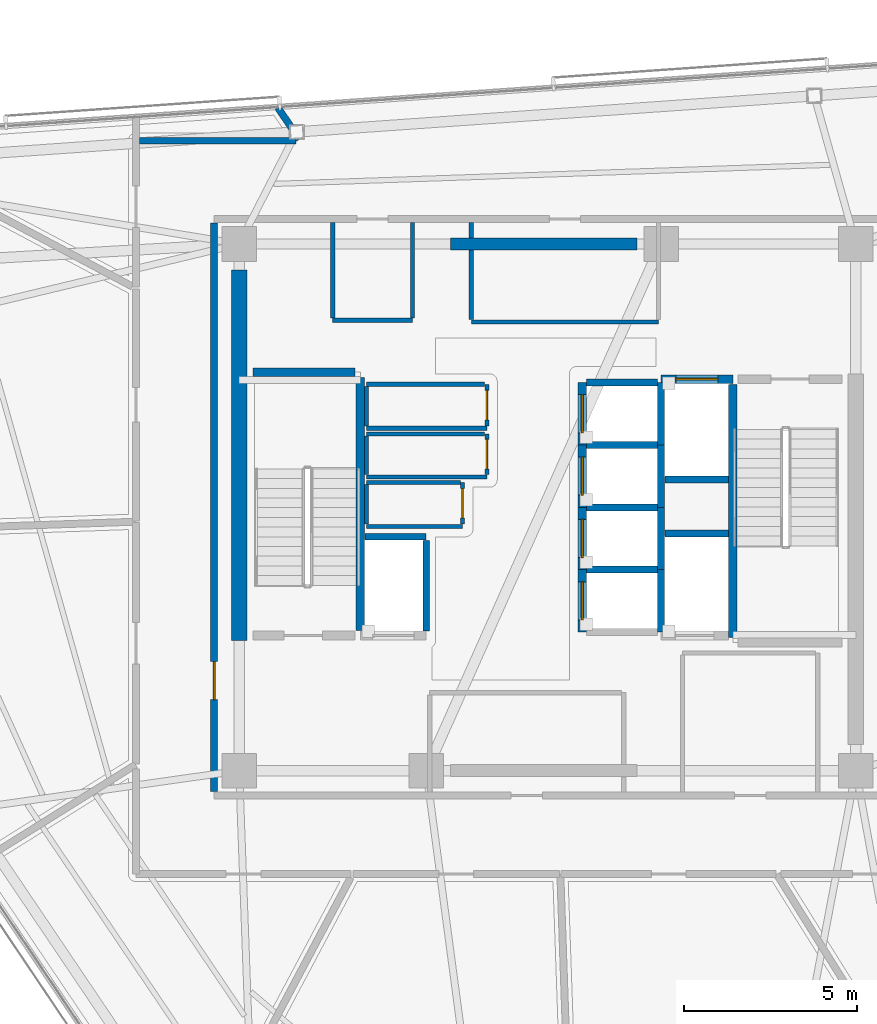
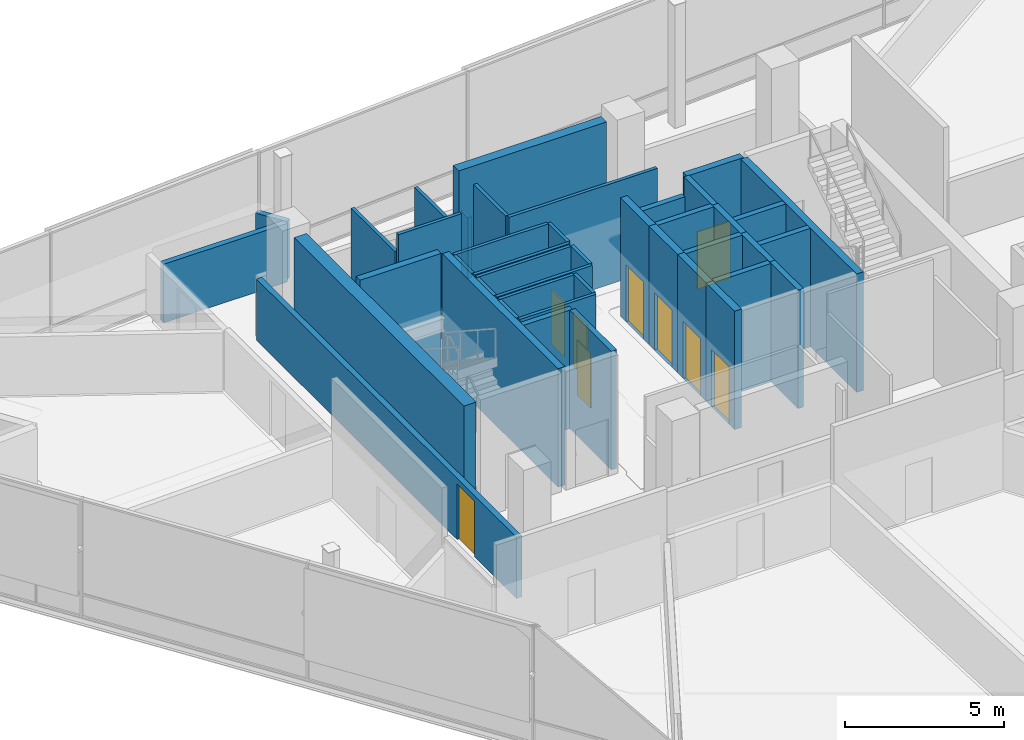
# One storey, part 10 of 16: 43 walls, 9 doors, 9 openings.
"""IFC4 building model written with IfcOpenShell, lengths in metres."""

import ifcopenshell
import ifcopenshell.guid

model = None  # the IFC model being written
_history = None  # IfcOwnerHistory: only IFC2X3 demands one
_inside = {}  # id of a spatial element -> (the spatial element, [elements in it])
_under = {}  # id of a project, library or spatial element -> (it, [spatial elements below it])
_declared = {}  # id of a project -> (the project, [libraries it declares])
_typed = {}  # id of a type object -> (the type object, [elements of that type])
_made_of = {}  # id of a material, layer set ... -> (it, [elements and type objects made of it])


def new_model(schema):
    """Start an empty IFC model of exactly this schema.

    Asked for "IFC4X3", IfcOpenShell would pick the latest addendum, in which some entities
    have other attributes; the version numbers below select the first issue.
    IFC2X3 requires an IfcOwnerHistory on every rooted entity: one is made here for all.
    """
    global model, _history
    if schema == "IFC4X3":
        model = ifcopenshell.file(schema_version=(4, 3, 0, 0))
    else:
        model = ifcopenshell.file(schema=schema)
    _inside.clear()
    _under.clear()
    _declared.clear()
    _typed.clear()
    _made_of.clear()
    _history = None
    if model.schema == "IFC2X3":
        org = make("IfcOrganization", Name="unknown")
        user = make(
            "IfcPersonAndOrganization",
            ThePerson=make("IfcPerson", FamilyName="unknown"),
            TheOrganization=org,
        )
        app = make(
            "IfcApplication",
            ApplicationDeveloper=org,
            Version="unknown",
            ApplicationFullName="unknown",
            ApplicationIdentifier="unknown",
        )
        _history = make(
            "IfcOwnerHistory",
            OwningUser=user,
            OwningApplication=app,
            ChangeAction="ADDED",
            CreationDate=0,
        )
    return model


def make(cls, **values):
    """One entity of the class cls with the attributes given. An attribute that is None is left unset."""
    return model.create_entity(
        cls, **{name: value for name, value in values.items() if value is not None}
    )


def rooted(cls, **values):
    """An entity with a GlobalId (a new one), such as an element, a storey or a relation."""
    return make(cls, GlobalId=ifcopenshell.guid.new(), OwnerHistory=_history, **values)


def si_unit(unit_type, name, prefix=None):
    """IfcSIUnit, for example si_unit("LENGTHUNIT", "METRE", prefix="MILLI")."""
    return make("IfcSIUnit", UnitType=unit_type, Prefix=prefix, Name=name)


def assignment(units):
    """IfcUnitAssignment: the units of a project."""
    return None if units is None else make("IfcUnitAssignment", Units=units)


def point(xyz):
    """IfcCartesianPoint."""
    return None if xyz is None else make("IfcCartesianPoint", Coordinates=xyz)


def direction(xyz):
    """IfcDirection."""
    return None if xyz is None else make("IfcDirection", DirectionRatios=xyz)


def frame(location, z_axis=None, x_axis=None):
    """IfcAxis2Placement3D, a coordinate frame: its origin and axes. An axis left out is left unset."""
    return make(
        "IfcAxis2Placement3D",
        Location=point(location),
        Axis=direction(z_axis),
        RefDirection=direction(x_axis),
    )


def frame_2d(location, x_axis=None):
    """IfcAxis2Placement2D, a coordinate frame in the plane: its origin and x axis."""
    return make(
        "IfcAxis2Placement2D", Location=point(location), RefDirection=direction(x_axis)
    )


def origin():
    """The frame at (0, 0, 0) with its axes left unset."""
    return frame((0.0, 0.0, 0.0))


def place(relative_to, where):
    """IfcLocalPlacement: puts the frame where relative to a parent placement (None: the world)."""
    return make(
        "IfcLocalPlacement", PlacementRelTo=relative_to, RelativePlacement=where
    )


def context(
    kind, dimensions, precision=None, world=None, true_north=None, identifier=None
):
    """IfcGeometricRepresentationContext, for example the 3D "Model" context."""
    return make(
        "IfcGeometricRepresentationContext",
        ContextIdentifier=identifier,
        ContextType=kind,
        CoordinateSpaceDimension=dimensions,
        Precision=precision,
        WorldCoordinateSystem=world,
        TrueNorth=true_north,
    )


def subcontext(parent, identifier, kind, view, scale=None):
    """IfcGeometricRepresentationSubContext, for example "Body" below "Model"."""
    return make(
        "IfcGeometricRepresentationSubContext",
        ContextIdentifier=identifier,
        ContextType=kind,
        ParentContext=parent,
        TargetScale=scale,
        TargetView=view,
    )


def project(units=None, contexts=None):
    """IfcProject with its units and contexts."""
    return rooted(
        "IfcProject",
        Name="project",
        RepresentationContexts=contexts,
        UnitsInContext=assignment(units),
    )


def spatial(cls, under=None, at=None, **own):
    """A site, building, storey or space (cls), placed at a placement, below another one or the project."""
    s = rooted(cls, ObjectPlacement=at, **own)
    if under is not None:
        _under.setdefault(under.id(), (under, []))[1].append(s)
    return s


def profile(cls, at=None, kind="AREA", **sizes):
    """A parametric profile (cls). Its sizes go by their IFC names, for example OverallWidth=200.0."""
    return make(cls, ProfileType=kind, Position=at, **sizes)


def rectangle(**sizes):
    """IfcRectangleProfileDef."""
    return profile("IfcRectangleProfileDef", **sizes)


def extrude(swept, where, along, depth):
    """IfcExtrudedAreaSolid: the profile swept, set in the frame where, extruded along a direction by depth."""
    return make(
        "IfcExtrudedAreaSolid",
        SweptArea=swept,
        Position=where,
        ExtrudedDirection=direction(along),
        Depth=depth,
    )


def shape(context_of_items, identifier, shape_type, items):
    """IfcShapeRepresentation: the items that make up one representation, for example the "Body"."""
    return make(
        "IfcShapeRepresentation",
        ContextOfItems=context_of_items,
        RepresentationIdentifier=identifier,
        RepresentationType=shape_type,
        Items=items,
    )


def material(Name=None, Category=None):
    """IfcMaterial."""
    return make("IfcMaterial", Name=Name, Category=Category)


def layer(
    of_material, thickness, ventilated=None, Name=None, Category=None, Priority=None
):
    """IfcMaterialLayer: one layer of a wall or slab, of a material (None: an air gap)."""
    return make(
        "IfcMaterialLayer",
        Material=of_material,
        LayerThickness=thickness,
        IsVentilated=ventilated,
        Name=Name,
        Category=Category,
        Priority=Priority,
    )


def layer_set(layers, Name=None):
    """IfcMaterialLayerSet."""
    return make("IfcMaterialLayerSet", MaterialLayers=layers, LayerSetName=Name)


def made_of(thing, what):
    """Note that an element or type object is made of a material, layer set ...; save() writes the relation."""
    if what is not None:
        _made_of.setdefault(what.id(), (what, []))[1].append(thing)
    return thing


def type_object(cls, material=None, **own):
    """A type object (cls), such as IfcWallType, which elements share."""
    return made_of(rooted(cls, **own), material)


def element(
    cls,
    number,
    at=None,
    inside=None,
    cuts=None,
    type_object=None,
    material=None,
    context=None,
    identifier="Body",
    shape_type=None,
    held_by="IfcProductDefinitionShape",
    body=None,
    shapes=None,
    **own,
):
    """One element of the class cls, such as IfcWall. Its Tag is "e" and its number.

    at: its placement. inside: the storey or other place that contains it. cuts: it is an
    opening in that element (IfcRelVoidsElement). A single representation is given by context,
    identifier, shape_type and body (its items); several are given by shapes. held_by: the class
    of the entity that holds the representations. save() writes the other relations.
    """
    e = rooted(cls, Tag="e%d" % number, ObjectPlacement=at, **own)
    if body is not None:
        shapes = [shape(context, identifier, shape_type, body)]
    if shapes is not None:
        e.Representation = make(held_by, Representations=shapes)
    if inside is not None:
        _inside.setdefault(inside.id(), (inside, []))[1].append(e)
    if cuts is not None:
        rooted(
            "IfcRelVoidsElement", RelatingBuildingElement=cuts, RelatedOpeningElement=e
        )
    if type_object is not None:
        _typed.setdefault(type_object.id(), (type_object, []))[1].append(e)
    return made_of(e, material)


def fill(opening, filler):
    """IfcRelFillsElement: the door or window that sits in an opening."""
    return rooted(
        "IfcRelFillsElement",
        RelatingOpeningElement=opening,
        RelatedBuildingElement=filler,
    )


def aggregate(whole, parts):
    """IfcRelAggregates: a whole, such as a stair, and the parts it consists of."""
    return rooted("IfcRelAggregates", RelatingObject=whole, RelatedObjects=parts)


def save(model, path):
    """Write the relations noted so far, then the file.

    IfcRelAggregates (storeys below a building ...), IfcRelContainedInSpatialStructure (elements
    in a storey), IfcRelDefinesByType, IfcRelAssociatesMaterial and IfcRelDeclares: one each for
    every whole, place, type object, material and project.
    """
    for whole, parts in _under.values():
        aggregate(whole, parts)
    for where, things in _inside.values():
        rooted(
            "IfcRelContainedInSpatialStructure",
            RelatedElements=things,
            RelatingStructure=where,
        )
    for kind, things in _typed.values():
        rooted("IfcRelDefinesByType", RelatedObjects=things, RelatingType=kind)
    for what, things in _made_of.values():
        rooted("IfcRelAssociatesMaterial", RelatedObjects=things, RelatingMaterial=what)
    for by, libraries in _declared.values():
        rooted("IfcRelDeclares", RelatingContext=by, RelatedDefinitions=libraries)
    model.write(path)


model = new_model("IFC4")

# Units and contexts
model_context = context("Model", 3, precision=1e-05, world=origin(), true_north=direction((0.0, 1.0)))
body_context = subcontext(model_context, "Body", "Model", "MODEL_VIEW")
ifc_project = project(units=[si_unit("LENGTHUNIT", "METRE"), si_unit("AREAUNIT", "SQUARE_METRE"), si_unit("VOLUMEUNIT", "CUBIC_METRE"), si_unit("PLANEANGLEUNIT", "RADIAN"), si_unit("MASSUNIT", "GRAM", prefix="KILO")], contexts=[model_context])

# Site, building, storey
site_placement = place(None, origin())
site = spatial("IfcSite", under=ifc_project, at=site_placement, CompositionType="ELEMENT")
building_placement = place(site_placement, origin())
building = spatial("IfcBuilding", under=site, at=building_placement, Name="Tharavind Bronze Gate", CompositionType="ELEMENT")
storey_placement = place(building_placement, frame((0.0, 0.0, 275.0)))
storey = spatial("IfcBuildingStorey", under=building, at=storey_placement, Name="L71", CompositionType="ELEMENT", Elevation=275.0)

# Wall, opening, door
ifc_material_1 = material(Name="Aerated Concrete Block", Category="concrete")
ifc_layer_1 = layer(ifc_material_1, 0.199951171875)
ifc_layer_set_1 = layer_set([ifc_layer_1], Name="Aerated Concrete Block")
wall_type_1 = type_object("IfcWallType", Name="FIRE RATED PARTITION 200", PredefinedType="PARTITIONING", material=ifc_layer_set_1)
wall_1_placement = place(storey_placement, frame((-9.6201171875, 8.199951171875, 0.0), z_axis=(0.0, 0.0, 1.0), x_axis=(0.0, -1.0, 0.0)))
wall_1 = element("IfcWall", 1, at=wall_1_placement, inside=storey, type_object=wall_type_1, Name="L71 west core corridor wall", PredefinedType="PARTITIONING", context=body_context, shape_type="SweptSolid", body=[
    extrude(rectangle(XDim=16.39990234375, YDim=0.199951171875, at=frame_2d((8.199951171875, 0.0))), origin(), (0.0, 0.0, 1.0), 2.35498046875),
])
opening_1_placement = place(wall_1_placement, frame((12.64990234375, 0.0, 0.0)))
opening_1 = element("IfcOpeningElement", 2, at=opening_1_placement, cuts=wall_1, Name="Opening ID01", PredefinedType="OPENING", context=body_context, shape_type="SweptSolid", body=[
    extrude(rectangle(XDim=1.10009765625, YDim=2.14990234375, at=frame_2d((0.550048828125, 1.074951171875))), frame((0.0, 0.11009765625, 0.0), z_axis=(0.0, -1.0, 0.0), x_axis=(1.0, 0.0, 0.0)), (0.0, 0.0, 1.0), 0.219951171875),
])
ifc_material_2 = material(Name="Fire-Rated Steel", Category="steel")
door_type_1 = type_object("IfcDoorType", Name="STAIR CORE FIRE DOOR 1100X2150", OperationType="SINGLE_SWING_LEFT", PredefinedType="DOOR", material=ifc_material_2)
door_1_placement = place(opening_1_placement, frame((1.10009765625, 0.0, 0.0), z_axis=(0.0, 0.0, 1.0), x_axis=(-1.0, 0.0, 0.0)))
door_1 = element("IfcDoor", 3, at=door_1_placement, inside=storey, type_object=door_type_1, Name="L71 south west stair lobby fire door", OperationType="SINGLE_SWING_LEFT", OverallHeight=2.14990234375, OverallWidth=1.10009765625, PredefinedType="DOOR", context=body_context, shape_type="SweptSolid", body=[
    extrude(rectangle(XDim=1.10009765625, YDim=2.14990234375, at=frame_2d((0.550048828125, 1.074951171875))), frame((0.0, 0.02490234375, 0.0), z_axis=(0.0, -1.0, 0.0), x_axis=(1.0, 0.0, 0.0)), (0.0, 0.0, 1.0), 0.050048828125),
])
fill(opening_1, door_1)

# Walls
wall_2_placement = place(storey_placement, frame((-7.7802734375, 11.53466796875, 0.0), z_axis=(0.0, 0.0, 1.0), x_axis=(0.559180531027, -0.82904591774, 0.0)))
element("IfcWall", 4, at=wall_2_placement, inside=storey, type_object=wall_type_1, Name="L71 Consular Interview Room partition", PredefinedType="PARTITIONING", context=body_context, shape_type="SweptSolid", body=[
    extrude(rectangle(XDim=1.1044921875, YDim=0.199951171875, at=frame_2d((0.55224609375, 0.0))), origin(), (0.0, 0.0, 1.0), 2.2548828125),
])
wall_3_placement = place(storey_placement, frame((-7.262939453125, 10.580078125, 0.0), z_axis=(0.0, 0.0, 1.0), x_axis=(-1.0, 0.0, 0.0)))
element("IfcWall", 5, at=wall_3_placement, inside=storey, type_object=wall_type_1, Name="L71 Consular Interview Room partition", PredefinedType="PARTITIONING", context=body_context, shape_type="SweptSolid", body=[
    extrude(rectangle(XDim=4.511962890625, YDim=0.199951171875, at=frame_2d((2.255859375, 0.0))), origin(), (0.0, 0.0, 1.0), 2.2548828125),
])
ifc_material_3 = material(Name="Metal Stud Gypsum Partition", Category="gypsum")
ifc_layer_2 = layer(ifc_material_3, 0.1201171875)
ifc_layer_set_2 = layer_set([ifc_layer_2], Name="Metal Stud Gypsum Partition")
wall_type_2 = type_object("IfcWallType", Name="INTERIOR PARTITION WALL 120", PredefinedType="PARTITIONING", material=ifc_layer_set_2)
wall_4_placement = place(storey_placement, frame((-5.219970703125, 2.280029296875, 0.0), z_axis=(0.0, 0.0, 1.0), x_axis=(1.0, 0.0, 0.0)))
element("IfcWall", 6, at=wall_4_placement, inside=storey, type_object=wall_type_2, Name="L71 Housekeeping Linen Store partition 1", PredefinedType="PARTITIONING", context=body_context, shape_type="SweptSolid", body=[
    extrude(rectangle(XDim=3.469970703125, YDim=0.1201171875, at=frame_2d((1.73486328125, 0.0))), origin(), (0.0, 0.0, 1.0), 4.56005859375),
])

# Wall, opening, door
wall_5_placement = place(storey_placement, frame((-1.75, 2.344970703125, 0.0), z_axis=(0.0, 0.0, 1.0), x_axis=(0.0, 1.0, 0.0)))
wall_5 = element("IfcWall", 7, at=wall_5_placement, inside=storey, type_object=wall_type_2, Name="L71 Housekeeping Linen Store partition 2", PredefinedType="PARTITIONING", context=body_context, shape_type="SweptSolid", body=[
    extrude(rectangle(XDim=1.205078125, YDim=0.1201171875, at=frame_2d((0.6025390625, 0.0))), origin(), (0.0, 0.0, 1.0), 4.56005859375),
])
opening_2_placement = place(wall_5_placement, frame((0.177001953125, 0.0, 0.0)))
opening_2 = element("IfcOpeningElement", 8, at=opening_2_placement, cuts=wall_5, Name="Opening ID06", PredefinedType="OPENING", context=body_context, shape_type="SweptSolid", body=[
    extrude(rectangle(XDim=0.85009765625, YDim=2.10009765625, at=frame_2d((0.425048828125, 1.050048828125))), frame((0.0, 0.07005859375, 0.0), z_axis=(0.0, -1.0, 0.0), x_axis=(1.0, 0.0, 0.0)), (0.0, 0.0, 1.0), 0.1401171875),
])
ifc_material_4 = material(Name="Moisture-Resistant Timber", Category="wood")
door_type_2 = type_object("IfcDoorType", Name="BATHROOM PRIVACY DOOR 850X2100", OperationType="SINGLE_SWING_RIGHT", PredefinedType="DOOR", material=ifc_material_4)
door_2_placement = place(opening_2_placement, frame((0.85009765625, 0.0, 0.0), z_axis=(0.0, 0.0, 1.0), x_axis=(-1.0, 0.0, 0.0)))
door_2 = element("IfcDoor", 9, at=door_2_placement, inside=storey, type_object=door_type_2, Name="L71 Housekeeping Linen Store door", OperationType="SINGLE_SWING_RIGHT", OverallHeight=2.10009765625, OverallWidth=0.85009765625, PredefinedType="DOOR", context=body_context, shape_type="SweptSolid", body=[
    extrude(rectangle(XDim=0.85009765625, YDim=2.10009765625, at=frame_2d((0.425048828125, 1.050048828125))), frame((0.0, 0.02490234375, 0.0), z_axis=(0.0, -1.0, 0.0), x_axis=(1.0, 0.0, 0.0)), (0.0, 0.0, 1.0), 0.050048828125),
])
fill(opening_2, door_2)

# Walls
wall_6_placement = place(storey_placement, frame((-1.81494140625, 3.550048828125, 0.0), z_axis=(0.0, 0.0, 1.0), x_axis=(-1.0, 0.0, 0.0)))
element("IfcWall", 10, at=wall_6_placement, inside=storey, type_object=wall_type_2, Name="L71 Housekeeping Linen Store partition 3", PredefinedType="PARTITIONING", context=body_context, shape_type="SweptSolid", body=[
    extrude(rectangle(XDim=3.405029296875, YDim=0.1201171875, at=frame_2d((1.70263671875, 0.0))), origin(), (0.0, 0.0, 1.0), 4.56005859375),
])
wall_7_placement = place(storey_placement, frame((-5.219970703125, 3.485107421875, 0.0), z_axis=(0.0, 0.0, 1.0), x_axis=(0.0, -1.0, 0.0)))
element("IfcWall", 11, at=wall_7_placement, inside=storey, type_object=wall_type_2, Name="L71 Housekeeping Linen Store partition 4", PredefinedType="PARTITIONING", context=body_context, shape_type="SweptSolid", body=[
    extrude(rectangle(XDim=1.14013671875, YDim=0.1201171875, at=frame_2d((0.570068359375, 0.0))), origin(), (0.0, 0.0, 1.0), 4.56005859375),
])
wall_8_placement = place(storey_placement, frame((-5.219970703125, 0.8798828125, 0.0), z_axis=(0.0, 0.0, 1.0), x_axis=(1.0, 0.0, 0.0)))
element("IfcWall", 12, at=wall_8_placement, inside=storey, type_object=wall_type_2, Name="L71 Comms Data Room partition 1", PredefinedType="PARTITIONING", context=body_context, shape_type="SweptSolid", body=[
    extrude(rectangle(XDim=3.469970703125, YDim=0.1201171875, at=frame_2d((1.73486328125, 0.0))), origin(), (0.0, 0.0, 1.0), 4.56005859375),
])

# Wall, opening, door
wall_9_placement = place(storey_placement, frame((-1.75, 0.945068359375, 0.0), z_axis=(0.0, 0.0, 1.0), x_axis=(0.0, 1.0, 0.0)))
wall_9 = element("IfcWall", 13, at=wall_9_placement, inside=storey, type_object=wall_type_2, Name="L71 Comms Data Room partition 2", PredefinedType="PARTITIONING", context=body_context, shape_type="SweptSolid", body=[
    extrude(rectangle(XDim=1.175048828125, YDim=0.1201171875, at=frame_2d((0.58740234375, 0.0))), origin(), (0.0, 0.0, 1.0), 4.56005859375),
])
opening_3_placement = place(wall_9_placement, frame((0.1630859375, 0.0, 0.0)))
opening_3 = element("IfcOpeningElement", 14, at=opening_3_placement, cuts=wall_9, Name="Opening ID06", PredefinedType="OPENING", context=body_context, shape_type="SweptSolid", body=[
    extrude(rectangle(XDim=0.85009765625, YDim=2.10009765625, at=frame_2d((0.425048828125, 1.050048828125))), frame((0.0, 0.07005859375, 0.0), z_axis=(0.0, -1.0, 0.0), x_axis=(1.0, 0.0, 0.0)), (0.0, 0.0, 1.0), 0.1401171875),
])
door_3_placement = place(opening_3_placement, frame((0.85009765625, 0.0, 0.0), z_axis=(0.0, 0.0, 1.0), x_axis=(-1.0, 0.0, 0.0)))
door_3 = element("IfcDoor", 15, at=door_3_placement, inside=storey, type_object=door_type_2, Name="L71 Comms Data Room door", OperationType="SINGLE_SWING_RIGHT", OverallHeight=2.10009765625, OverallWidth=0.85009765625, PredefinedType="DOOR", context=body_context, shape_type="SweptSolid", body=[
    extrude(rectangle(XDim=0.85009765625, YDim=2.10009765625, at=frame_2d((0.425048828125, 1.050048828125))), frame((0.0, 0.02490234375, 0.0), z_axis=(0.0, -1.0, 0.0), x_axis=(1.0, 0.0, 0.0)), (0.0, 0.0, 1.0), 0.050048828125),
])
fill(opening_3, door_3)

# Walls
wall_10_placement = place(storey_placement, frame((-1.81494140625, 2.1201171875, 0.0), z_axis=(0.0, 0.0, 1.0), x_axis=(-1.0, 0.0, 0.0)))
element("IfcWall", 16, at=wall_10_placement, inside=storey, type_object=wall_type_2, Name="L71 Comms Data Room partition 3", PredefinedType="PARTITIONING", context=body_context, shape_type="SweptSolid", body=[
    extrude(rectangle(XDim=3.405029296875, YDim=0.1201171875, at=frame_2d((1.70263671875, 0.0))), origin(), (0.0, 0.0, 1.0), 4.56005859375),
])
wall_11_placement = place(storey_placement, frame((-5.219970703125, 2.054931640625, 0.0), z_axis=(0.0, 0.0, 1.0), x_axis=(0.0, -1.0, 0.0)))
element("IfcWall", 17, at=wall_11_placement, inside=storey, type_object=wall_type_2, Name="L71 Comms Data Room partition 4", PredefinedType="PARTITIONING", context=body_context, shape_type="SweptSolid", body=[
    extrude(rectangle(XDim=1.10986328125, YDim=0.1201171875, at=frame_2d((0.554931640625, 0.0))), origin(), (0.0, 0.0, 1.0), 4.56005859375),
])
wall_12_placement = place(storey_placement, frame((-5.219970703125, -0.550048828125, 0.0), z_axis=(0.0, 0.0, 1.0), x_axis=(1.0, 0.0, 0.0)))
element("IfcWall", 18, at=wall_12_placement, inside=storey, type_object=wall_type_2, Name="L71 Electrical Metering Store partition 1", PredefinedType="PARTITIONING", context=body_context, shape_type="SweptSolid", body=[
    extrude(rectangle(XDim=2.77001953125, YDim=0.1201171875, at=frame_2d((1.385009765625, 0.0))), origin(), (0.0, 0.0, 1.0), 4.56005859375),
])

# Wall, opening, door
wall_13_placement = place(storey_placement, frame((-2.449951171875, -0.485107421875, 0.0), z_axis=(0.0, 0.0, 1.0), x_axis=(0.0, 1.0, 0.0)))
wall_13 = element("IfcWall", 19, at=wall_13_placement, inside=storey, type_object=wall_type_2, Name="L71 Electrical Metering Store partition 2", PredefinedType="PARTITIONING", context=body_context, shape_type="SweptSolid", body=[
    extrude(rectangle(XDim=1.205078125, YDim=0.1201171875, at=frame_2d((0.6025390625, 0.0))), origin(), (0.0, 0.0, 1.0), 4.56005859375),
])
opening_4_placement = place(wall_13_placement, frame((0.177978515625, 0.0, 0.0)))
opening_4 = element("IfcOpeningElement", 20, at=opening_4_placement, cuts=wall_13, Name="Opening ID06", PredefinedType="OPENING", context=body_context, shape_type="SweptSolid", body=[
    extrude(rectangle(XDim=0.85009765625, YDim=2.10009765625, at=frame_2d((0.425048828125, 1.050048828125))), frame((0.0, 0.07005859375, 0.0), z_axis=(0.0, -1.0, 0.0), x_axis=(1.0, 0.0, 0.0)), (0.0, 0.0, 1.0), 0.1401171875),
])
door_4_placement = place(opening_4_placement, frame((0.85009765625, 0.0, 0.0), z_axis=(0.0, 0.0, 1.0), x_axis=(-1.0, 0.0, 0.0)))
door_4 = element("IfcDoor", 21, at=door_4_placement, inside=storey, type_object=door_type_2, Name="L71 Electrical Metering Store door", OperationType="SINGLE_SWING_RIGHT", OverallHeight=2.10009765625, OverallWidth=0.85009765625, PredefinedType="DOOR", context=body_context, shape_type="SweptSolid", body=[
    extrude(rectangle(XDim=0.85009765625, YDim=2.10009765625, at=frame_2d((0.425048828125, 1.050048828125))), frame((0.0, 0.02490234375, 0.0), z_axis=(0.0, -1.0, 0.0), x_axis=(1.0, 0.0, 0.0)), (0.0, 0.0, 1.0), 0.050048828125),
])
fill(opening_4, door_4)

# Walls
wall_14_placement = place(storey_placement, frame((-2.514892578125, 0.719970703125, 0.0), z_axis=(0.0, 0.0, 1.0), x_axis=(-1.0, 0.0, 0.0)))
element("IfcWall", 22, at=wall_14_placement, inside=storey, type_object=wall_type_2, Name="L71 Electrical Metering Store partition 3", PredefinedType="PARTITIONING", context=body_context, shape_type="SweptSolid", body=[
    extrude(rectangle(XDim=2.705078125, YDim=0.1201171875, at=frame_2d((1.3525390625, 0.0))), origin(), (0.0, 0.0, 1.0), 4.56005859375),
])
wall_15_placement = place(storey_placement, frame((-5.219970703125, 0.655029296875, 0.0), z_axis=(0.0, 0.0, 1.0), x_axis=(0.0, -1.0, 0.0)))
element("IfcWall", 23, at=wall_15_placement, inside=storey, type_object=wall_type_2, Name="L71 Electrical Metering Store partition 4", PredefinedType="PARTITIONING", context=body_context, shape_type="SweptSolid", body=[
    extrude(rectangle(XDim=1.14013671875, YDim=0.1201171875, at=frame_2d((0.570068359375, 0.0))), origin(), (0.0, 0.0, 1.0), 4.56005859375),
])
wall_16_placement = place(storey_placement, frame((-2.199951171875, 5.35009765625, 0.0), z_axis=(0.0, 0.0, 1.0), x_axis=(1.0, 0.0, 0.0)))
element("IfcWall", 24, at=wall_16_placement, inside=storey, type_object=wall_type_2, Name="L71 Core Avionics Room partition 1", PredefinedType="PARTITIONING", context=body_context, shape_type="SweptSolid", body=[
    extrude(rectangle(XDim=5.39990234375, YDim=0.1201171875, at=frame_2d((2.699951171875, 0.0))), origin(), (0.0, 0.0, 1.0), 3.85498046875),
])
wall_17_placement = place(storey_placement, frame((-2.199951171875, 8.215087890625, 0.0), z_axis=(0.0, 0.0, 1.0), x_axis=(0.0, -1.0, 0.0)))
element("IfcWall", 25, at=wall_17_placement, inside=storey, type_object=wall_type_2, Name="L71 Core Avionics Room partition 4", PredefinedType="PARTITIONING", context=body_context, shape_type="SweptSolid", body=[
    extrude(rectangle(XDim=0.43505859375, YDim=0.1201171875, at=frame_2d((0.217529296875, 0.0))), origin(), (0.0, 0.0, 1.0), 2.35498046875),
])
wall_18_placement = place(storey_placement, frame((-2.199951171875, 7.419921875, 0.0), z_axis=(0.0, 0.0, 1.0), x_axis=(0.0, -1.0, 0.0)))
element("IfcWall", 26, at=wall_18_placement, inside=storey, type_object=wall_type_2, Name="L71 Core Avionics Room partition 4", PredefinedType="PARTITIONING", context=body_context, shape_type="SweptSolid", body=[
    extrude(rectangle(XDim=2.0048828125, YDim=0.1201171875, at=frame_2d((1.00244140625, 0.0))), origin(), (0.0, 0.0, 1.0), 3.85498046875),
])
wall_19_placement = place(storey_placement, frame((-6.199951171875, 5.39990234375, 0.0), z_axis=(0.0, 0.0, 1.0), x_axis=(1.0, 0.0, 0.0)))
element("IfcWall", 27, at=wall_19_placement, inside=storey, type_object=wall_type_2, Name="L71 Electrical Switch Cupboard partition 1", PredefinedType="PARTITIONING", context=body_context, shape_type="SweptSolid", body=[
    extrude(rectangle(XDim=2.300048828125, YDim=0.1201171875, at=frame_2d((1.14990234375, 0.0))), origin(), (0.0, 0.0, 1.0), 4.56005859375),
])
for number, where, z_axis, x_axis, name in (
    (28, (-3.89990234375, 5.465087890625, 0.0), (0.0, 0.0, 1.0), (0.0, 1.0, 0.0), "L71 Electrical Switch Cupboard partition 2"),
    (29, (-6.199951171875, 8.215087890625, 0.0), (0.0, 0.0, 1.0), (0.0, -1.0, 0.0), "L71 Electrical Switch Cupboard partition 4"),
):
    element("IfcWall", number, at=place(storey_placement, frame(where, z_axis=z_axis, x_axis=x_axis)), inside=storey, type_object=wall_type_2, Name=name, PredefinedType="PARTITIONING", context=body_context, shape_type="SweptSolid", body=[
        extrude(rectangle(XDim=2.75, YDim=0.1201171875, at=frame_2d((1.375, 0.0))), origin(), (0.0, 0.0, 1.0), 3.85498046875),
    ])
ifc_material_5 = material(Name="Concrete C50/60", Category="concrete")
ifc_layer_3 = layer(ifc_material_5, 0.25)
ifc_layer_set_3 = layer_set([ifc_layer_3], Name="Concrete C50/60")
wall_type_3 = type_object("IfcWallType", Name="RC CORE SHEAR WALL 250", PredefinedType="SHEAR", material=ifc_layer_set_3)
wall_20_placement = place(storey_placement, frame((-5.39990234375, -3.550048828125, 0.0), z_axis=(0.0, 0.0, 1.0), x_axis=(0.0, 1.0, 0.0)))
element("IfcWall", 30, at=wall_20_placement, inside=storey, type_object=wall_type_3, Name="L71 ST1 shaft east wall", PredefinedType="SHEAR", context=body_context, shape_type="SweptSolid", body=[
    extrude(rectangle(XDim=7.300048828125, YDim=0.25, at=frame_2d((3.64990234375, 0.0))), origin(), (0.0, 0.0, 1.0), 4.56005859375),
])
wall_21_placement = place(storey_placement, frame((-8.5, 3.89990234375, 0.0), z_axis=(0.0, 0.0, 1.0), x_axis=(1.0, 0.0, 0.0)))
element("IfcWall", 31, at=wall_21_placement, inside=storey, type_object=wall_type_3, Name="L71 ST1 shaft north wall", PredefinedType="SHEAR", context=body_context, shape_type="SweptSolid", body=[
    extrude(rectangle(XDim=2.949951171875, YDim=0.25, at=frame_2d((1.47509765625, 0.0))), origin(), (0.0, 0.0, 1.0), 4.56005859375),
])
wall_22_placement = place(storey_placement, frame((5.35009765625, -3.75, 0.0), z_axis=(0.0, 0.0, 1.0), x_axis=(0.0, 1.0, 0.0)))
element("IfcWall", 32, at=wall_22_placement, inside=storey, type_object=wall_type_3, Name="L71 ST2 shaft west wall", PredefinedType="SHEAR", context=body_context, shape_type="SweptSolid", body=[
    extrude(rectangle(XDim=7.300048828125, YDim=0.25, at=frame_2d((3.64990234375, 0.0))), origin(), (0.0, 0.0, 1.0), 4.56005859375),
])

# Wall, opening, door
wall_23_placement = place(storey_placement, frame((1.0, -3.60009765625, 0.0), z_axis=(0.0, 0.0, 1.0), x_axis=(0.0, 1.0, 0.0)))
wall_23 = element("IfcWall", 33, at=wall_23_placement, inside=storey, type_object=wall_type_3, Name="L71 lift PL9 shaft front wall", PredefinedType="SHEAR", context=body_context, shape_type="SweptSolid", body=[
    extrude(rectangle(XDim=1.800048828125, YDim=0.25, at=frame_2d((0.89990234375, 0.0))), origin(), (0.0, 0.0, 1.0), 4.56005859375),
])
opening_5_placement = place(wall_23_placement, frame((0.35009765625, 0.0, 0.0)))
opening_5 = element("IfcOpeningElement", 34, at=opening_5_placement, cuts=wall_23, Name="Opening LD01", PredefinedType="OPENING", context=body_context, shape_type="SweptSolid", body=[
    extrude(rectangle(XDim=1.10009765625, YDim=2.199951171875, at=frame_2d((0.550048828125, 1.10009765625))), frame((0.0, 0.135, 0.0), z_axis=(0.0, -1.0, 0.0), x_axis=(1.0, 0.0, 0.0)), (0.0, 0.0, 1.0), 0.27),
])
ifc_material_6 = material(Name="Brushed Bronze Stainless Steel", Category="steel")
door_type_3 = type_object("IfcDoorType", Name="LIFT LANDING SLIDING DOOR 1100X2200", OperationType="SLIDING_TO_LEFT", PredefinedType="DOOR", material=ifc_material_6)
door_5_placement = place(opening_5_placement, origin())
door_5 = element("IfcDoor", 35, at=door_5_placement, inside=storey, type_object=door_type_3, Name="L71 lift PL9 sliding landing door", OperationType="SLIDING_TO_LEFT", OverallHeight=2.199951171875, OverallWidth=1.10009765625, PredefinedType="DOOR", context=body_context, shape_type="SweptSolid", body=[
    extrude(rectangle(XDim=1.10009765625, YDim=2.199951171875, at=frame_2d((0.550048828125, 1.10009765625))), frame((0.0, 0.02490234375, 0.0), z_axis=(0.0, -1.0, 0.0), x_axis=(1.0, 0.0, 0.0)), (0.0, 0.0, 1.0), 0.050048828125),
])
fill(opening_5, door_5)

wall_24_placement = place(storey_placement, frame((1.0, -1.800048828125, 0.0), z_axis=(0.0, 0.0, 1.0), x_axis=(0.0, 1.0, 0.0)))
wall_24 = element("IfcWall", 36, at=wall_24_placement, inside=storey, type_object=wall_type_3, Name="L71 lift PL10 shaft front wall", PredefinedType="SHEAR", context=body_context, shape_type="SweptSolid", body=[
    extrude(rectangle(XDim=1.800048828125, YDim=0.25, at=frame_2d((0.89990234375, 0.0))), origin(), (0.0, 0.0, 1.0), 4.56005859375),
])
opening_6_placement = place(wall_24_placement, frame((0.35009765625, 0.0, 0.0)))
opening_6 = element("IfcOpeningElement", 37, at=opening_6_placement, cuts=wall_24, Name="Opening LD01", PredefinedType="OPENING", context=body_context, shape_type="SweptSolid", body=[
    extrude(rectangle(XDim=1.10009765625, YDim=2.199951171875, at=frame_2d((0.550048828125, 1.10009765625))), frame((0.0, 0.135, 0.0), z_axis=(0.0, -1.0, 0.0), x_axis=(1.0, 0.0, 0.0)), (0.0, 0.0, 1.0), 0.27),
])
door_6_placement = place(opening_6_placement, origin())
door_6 = element("IfcDoor", 38, at=door_6_placement, inside=storey, type_object=door_type_3, Name="L71 lift PL10 sliding landing door", OperationType="SLIDING_TO_LEFT", OverallHeight=2.199951171875, OverallWidth=1.10009765625, PredefinedType="DOOR", context=body_context, shape_type="SweptSolid", body=[
    extrude(rectangle(XDim=1.10009765625, YDim=2.199951171875, at=frame_2d((0.550048828125, 1.10009765625))), frame((0.0, 0.02490234375, 0.0), z_axis=(0.0, -1.0, 0.0), x_axis=(1.0, 0.0, 0.0)), (0.0, 0.0, 1.0), 0.050048828125),
])
fill(opening_6, door_6)

wall_25_placement = place(storey_placement, frame((1.0, 0.0, 0.0), z_axis=(0.0, 0.0, 1.0), x_axis=(0.0, 1.0, 0.0)))
wall_25 = element("IfcWall", 39, at=wall_25_placement, inside=storey, type_object=wall_type_3, Name="L71 lift PL11 shaft front wall", PredefinedType="SHEAR", context=body_context, shape_type="SweptSolid", body=[
    extrude(rectangle(XDim=1.800048828125, YDim=0.25, at=frame_2d((0.89990234375, 0.0))), origin(), (0.0, 0.0, 1.0), 4.56005859375),
])
opening_7_placement = place(wall_25_placement, frame((0.35009765625, 0.0, 0.0)))
opening_7 = element("IfcOpeningElement", 40, at=opening_7_placement, cuts=wall_25, Name="Opening LD01", PredefinedType="OPENING", context=body_context, shape_type="SweptSolid", body=[
    extrude(rectangle(XDim=1.10009765625, YDim=2.199951171875, at=frame_2d((0.550048828125, 1.10009765625))), frame((0.0, 0.135, 0.0), z_axis=(0.0, -1.0, 0.0), x_axis=(1.0, 0.0, 0.0)), (0.0, 0.0, 1.0), 0.27),
])
door_7_placement = place(opening_7_placement, origin())
door_7 = element("IfcDoor", 41, at=door_7_placement, inside=storey, type_object=door_type_3, Name="L71 lift PL11 sliding landing door", OperationType="SLIDING_TO_LEFT", OverallHeight=2.199951171875, OverallWidth=1.10009765625, PredefinedType="DOOR", context=body_context, shape_type="SweptSolid", body=[
    extrude(rectangle(XDim=1.10009765625, YDim=2.199951171875, at=frame_2d((0.550048828125, 1.10009765625))), frame((0.0, 0.02490234375, 0.0), z_axis=(0.0, -1.0, 0.0), x_axis=(1.0, 0.0, 0.0)), (0.0, 0.0, 1.0), 0.050048828125),
])
fill(opening_7, door_7)

wall_26_placement = place(storey_placement, frame((1.0, 1.800048828125, 0.0), z_axis=(0.0, 0.0, 1.0), x_axis=(0.0, 1.0, 0.0)))
wall_26 = element("IfcWall", 42, at=wall_26_placement, inside=storey, type_object=wall_type_3, Name="L71 lift PL12 shaft front wall", PredefinedType="SHEAR", context=body_context, shape_type="SweptSolid", body=[
    extrude(rectangle(XDim=1.800048828125, YDim=0.25, at=frame_2d((0.89990234375, 0.0))), origin(), (0.0, 0.0, 1.0), 4.56005859375),
])
opening_8_placement = place(wall_26_placement, frame((0.35009765625, 0.0, 0.0)))
opening_8 = element("IfcOpeningElement", 43, at=opening_8_placement, cuts=wall_26, Name="Opening LD01", PredefinedType="OPENING", context=body_context, shape_type="SweptSolid", body=[
    extrude(rectangle(XDim=1.10009765625, YDim=2.199951171875, at=frame_2d((0.550048828125, 1.10009765625))), frame((0.0, 0.135, 0.0), z_axis=(0.0, -1.0, 0.0), x_axis=(1.0, 0.0, 0.0)), (0.0, 0.0, 1.0), 0.27),
])
door_8_placement = place(opening_8_placement, origin())
door_8 = element("IfcDoor", 44, at=door_8_placement, inside=storey, type_object=door_type_3, Name="L71 lift PL12 sliding landing door", OperationType="SLIDING_TO_LEFT", OverallHeight=2.199951171875, OverallWidth=1.10009765625, PredefinedType="DOOR", context=body_context, shape_type="SweptSolid", body=[
    extrude(rectangle(XDim=1.10009765625, YDim=2.199951171875, at=frame_2d((0.550048828125, 1.10009765625))), frame((0.0, 0.02490234375, 0.0), z_axis=(0.0, -1.0, 0.0), x_axis=(1.0, 0.0, 0.0)), (0.0, 0.0, 1.0), 0.050048828125),
])
fill(opening_8, door_8)

wall_27_placement = place(storey_placement, frame((3.280029296875, 3.699951171875, 0.0), z_axis=(0.0, 0.0, 1.0), x_axis=(1.0, 0.0, 0.0)))
wall_27 = element("IfcWall", 45, at=wall_27_placement, inside=storey, type_object=wall_type_3, Name="L71 lift FFL2 shaft front wall", PredefinedType="SHEAR", context=body_context, shape_type="SweptSolid", body=[
    extrude(rectangle(XDim=2.070068359375, YDim=0.25, at=frame_2d((1.03515625, 0.0))), origin(), (0.0, 0.0, 1.0), 4.56005859375),
])
opening_9_placement = place(wall_27_placement, frame((0.43505859375, 0.0, 0.0)))
opening_9 = element("IfcOpeningElement", 46, at=opening_9_placement, cuts=wall_27, Name="Opening LD02", PredefinedType="OPENING", context=body_context, shape_type="SweptSolid", body=[
    extrude(rectangle(XDim=1.199951171875, YDim=2.199951171875, at=frame_2d((0.60009765625, 1.10009765625))), frame((0.0, 0.135, 0.0), z_axis=(0.0, -1.0, 0.0), x_axis=(1.0, 0.0, 0.0)), (0.0, 0.0, 1.0), 0.27),
])
ifc_material_7 = material(Name="Brushed Stainless Steel", Category="steel")
door_type_4 = type_object("IfcDoorType", Name="FIREFIGHTING LIFT LANDING DOOR 1200X2200", OperationType="SLIDING_TO_RIGHT", PredefinedType="DOOR", material=ifc_material_7)
door_9_placement = place(opening_9_placement, origin())
door_9 = element("IfcDoor", 47, at=door_9_placement, inside=storey, type_object=door_type_4, Name="L71 lift FFL2 sliding landing door", OperationType="SLIDING_TO_RIGHT", OverallHeight=2.199951171875, OverallWidth=1.199951171875, PredefinedType="DOOR", context=body_context, shape_type="SweptSolid", body=[
    extrude(rectangle(XDim=1.199951171875, YDim=2.199951171875, at=frame_2d((0.60009765625, 1.10009765625))), frame((0.0, 0.02490234375, 0.0), z_axis=(0.0, -1.0, 0.0), x_axis=(1.0, 0.0, 0.0)), (0.0, 0.0, 1.0), 0.050048828125),
])
fill(opening_9, door_9)

# Walls
ifc_layer_4 = layer(ifc_material_5, 0.35009765625)
ifc_layer_set_4 = layer_set([ifc_layer_4], Name="Concrete C50/60")
wall_type_4 = type_object("IfcWallType", Name="RC CORE SHEAR WALL 350", PredefinedType="SHEAR", material=ifc_layer_set_4)
wall_28_placement = place(storey_placement, frame((-2.800048828125, 7.60009765625, 0.0), z_axis=(0.0, 0.0, 1.0), x_axis=(1.0, 0.0, 0.0)))
element("IfcWall", 48, at=wall_28_placement, inside=storey, type_object=wall_type_4, Name="L71 north core shear wall", PredefinedType="SHEAR", context=body_context, shape_type="SweptSolid", body=[
    extrude(rectangle(XDim=5.380126953125, YDim=0.35009765625, at=frame_2d((2.68994140625, 0.0))), origin(), (0.0, 0.0, 1.0), 4.56005859375),
])
ifc_material_8 = material(Name="Concrete C60/75", Category="concrete")
ifc_layer_5 = layer(ifc_material_8, 0.449951171875)
ifc_layer_set_5 = layer_set([ifc_layer_5], Name="Concrete C60/75")
wall_type_5 = type_object("IfcWallType", Name="RC CORE SHEAR WALL 450", PredefinedType="SHEAR", material=ifc_layer_set_5)
wall_29_placement = place(storey_placement, frame((-8.89990234375, -3.85009765625, 0.0), z_axis=(0.0, 0.0, 1.0), x_axis=(0.0, 1.0, 0.0)))
element("IfcWall", 49, at=wall_29_placement, inside=storey, type_object=wall_type_5, Name="L71 west core shear wall", PredefinedType="SHEAR", context=body_context, shape_type="SweptSolid", body=[
    extrude(rectangle(XDim=10.7001953125, YDim=0.449951171875, at=frame_2d((5.35009765625, 0.0))), origin(), (0.0, 0.0, 1.0), 4.56005859375),
])
ifc_material_9 = material(Name="Concrete C40/50", Category="concrete")
ifc_layer_6 = layer(ifc_material_9, 0.199951171875)
ifc_layer_set_6 = layer_set([ifc_layer_6], Name="Concrete C40/50")
wall_type_6 = type_object("IfcWallType", Name="SHAFT ENCLOSURE WALL 200", PredefinedType="PARTITIONING", material=ifc_layer_set_6)
wall_30_placement = place(storey_placement, frame((3.280029296875, -3.60009765625, 0.0), z_axis=(0.0, 0.0, 1.0), x_axis=(0.0, 1.0, 0.0)))
element("IfcWall", 50, at=wall_30_placement, inside=storey, type_object=wall_type_6, Name="L71 lift PL9 shaft E enclosure wall", PredefinedType="PARTITIONING", context=body_context, shape_type="SweptSolid", body=[
    extrude(rectangle(XDim=1.800048828125, YDim=0.199951171875, at=frame_2d((0.89990234375, 0.0))), origin(), (0.0, 0.0, 1.0), 4.56005859375),
])
wall_31_placement = place(storey_placement, frame((1.1298828125, -1.800048828125, 0.0), z_axis=(0.0, 0.0, 1.0), x_axis=(1.0, 0.0, 0.0)))
element("IfcWall", 51, at=wall_31_placement, inside=storey, type_object=wall_type_6, Name="L71 lift PL9 shaft N enclosure wall", PredefinedType="PARTITIONING", context=body_context, shape_type="SweptSolid", body=[
    extrude(rectangle(XDim=2.045166015625, YDim=0.199951171875, at=frame_2d((1.0224609375, 0.0))), origin(), (0.0, 0.0, 1.0), 4.56005859375),
])
wall_32_placement = place(storey_placement, frame((3.280029296875, -1.800048828125, 0.0), z_axis=(0.0, 0.0, 1.0), x_axis=(0.0, 1.0, 0.0)))
element("IfcWall", 52, at=wall_32_placement, inside=storey, type_object=wall_type_6, Name="L71 lift PL10 shaft E enclosure wall", PredefinedType="PARTITIONING", context=body_context, shape_type="SweptSolid", body=[
    extrude(rectangle(XDim=1.800048828125, YDim=0.199951171875, at=frame_2d((0.89990234375, 0.0))), origin(), (0.0, 0.0, 1.0), 4.56005859375),
])
wall_33_placement = place(storey_placement, frame((1.1298828125, 0.0, 0.0), z_axis=(0.0, 0.0, 1.0), x_axis=(1.0, 0.0, 0.0)))
element("IfcWall", 53, at=wall_33_placement, inside=storey, type_object=wall_type_6, Name="L71 lift PL10 shaft N enclosure wall", PredefinedType="PARTITIONING", context=body_context, shape_type="SweptSolid", body=[
    extrude(rectangle(XDim=2.045166015625, YDim=0.199951171875, at=frame_2d((1.0224609375, 0.0))), origin(), (0.0, 0.0, 1.0), 4.56005859375),
])
wall_34_placement = place(storey_placement, frame((3.280029296875, 0.0, 0.0), z_axis=(0.0, 0.0, 1.0), x_axis=(0.0, 1.0, 0.0)))
element("IfcWall", 54, at=wall_34_placement, inside=storey, type_object=wall_type_6, Name="L71 lift PL11 shaft E enclosure wall", PredefinedType="PARTITIONING", context=body_context, shape_type="SweptSolid", body=[
    extrude(rectangle(XDim=1.800048828125, YDim=0.199951171875, at=frame_2d((0.89990234375, 0.0))), origin(), (0.0, 0.0, 1.0), 4.56005859375),
])
wall_35_placement = place(storey_placement, frame((1.1298828125, 1.800048828125, 0.0), z_axis=(0.0, 0.0, 1.0), x_axis=(1.0, 0.0, 0.0)))
element("IfcWall", 55, at=wall_35_placement, inside=storey, type_object=wall_type_6, Name="L71 lift PL11 shaft N enclosure wall", PredefinedType="PARTITIONING", context=body_context, shape_type="SweptSolid", body=[
    extrude(rectangle(XDim=2.045166015625, YDim=0.199951171875, at=frame_2d((1.0224609375, 0.0))), origin(), (0.0, 0.0, 1.0), 4.56005859375),
])
wall_36_placement = place(storey_placement, frame((3.280029296875, 1.800048828125, 0.0), z_axis=(0.0, 0.0, 1.0), x_axis=(0.0, 1.0, 0.0)))
element("IfcWall", 56, at=wall_36_placement, inside=storey, type_object=wall_type_6, Name="L71 lift PL12 shaft E enclosure wall", PredefinedType="PARTITIONING", context=body_context, shape_type="SweptSolid", body=[
    extrude(rectangle(XDim=1.800048828125, YDim=0.199951171875, at=frame_2d((0.89990234375, 0.0))), origin(), (0.0, 0.0, 1.0), 4.56005859375),
])
wall_37_placement = place(storey_placement, frame((1.1298828125, 3.60009765625, 0.0), z_axis=(0.0, 0.0, 1.0), x_axis=(1.0, 0.0, 0.0)))
element("IfcWall", 57, at=wall_37_placement, inside=storey, type_object=wall_type_6, Name="L71 lift PL12 shaft N enclosure wall", PredefinedType="PARTITIONING", context=body_context, shape_type="SweptSolid", body=[
    extrude(rectangle(XDim=2.045166015625, YDim=0.199951171875, at=frame_2d((1.0224609375, 0.0))), origin(), (0.0, 0.0, 1.0), 3.85498046875),
])
wall_38_placement = place(storey_placement, frame((-5.27001953125, -0.85009765625, 0.0), z_axis=(0.0, 0.0, 1.0), x_axis=(1.0, 0.0, 0.0)))
element("IfcWall", 58, at=wall_38_placement, inside=storey, type_object=wall_type_6, Name="L71 lift FFL1 shaft N enclosure wall", PredefinedType="PARTITIONING", context=body_context, shape_type="SweptSolid", body=[
    extrude(rectangle(XDim=1.77001953125, YDim=0.199951171875, at=frame_2d((0.885009765625, 0.0))), origin(), (0.0, 0.0, 1.0), 4.56005859375),
])
wall_39_placement = place(storey_placement, frame((-3.5, -3.570068359375, 0.0), z_axis=(0.0, 0.0, 1.0), x_axis=(0.0, 1.0, 0.0)))
element("IfcWall", 59, at=wall_39_placement, inside=storey, type_object=wall_type_6, Name="L71 lift FFL1 shaft E enclosure wall", PredefinedType="PARTITIONING", context=body_context, shape_type="SweptSolid", body=[
    extrude(rectangle(XDim=2.614990234375, YDim=0.199951171875, at=frame_2d((1.3076171875, 0.0))), origin(), (0.0, 0.0, 1.0), 4.56005859375),
])
for number, where, z_axis, x_axis, name in (
    (60, (3.385009765625, 0.800048828125, 0.0), (0.0, 0.0, 1.0), (1.0, 0.0, 0.0), "L71 lift FFL2 shaft S enclosure wall"),
    (61, (3.385009765625, -0.75, 0.0), (0.0, 0.0, 1.0), (1.0, 0.0, 0.0), "L71 lift SVL1 shaft N enclosure wall"),
):
    element("IfcWall", number, at=place(storey_placement, frame(where, z_axis=z_axis, x_axis=x_axis)), inside=storey, type_object=wall_type_6, Name=name, PredefinedType="PARTITIONING", context=body_context, shape_type="SweptSolid", body=[
        extrude(rectangle(XDim=1.8349609375, YDim=0.199951171875, at=frame_2d((0.91748046875, 0.0))), origin(), (0.0, 0.0, 1.0), 4.56005859375),
    ])

save(model, "model.ifc")
